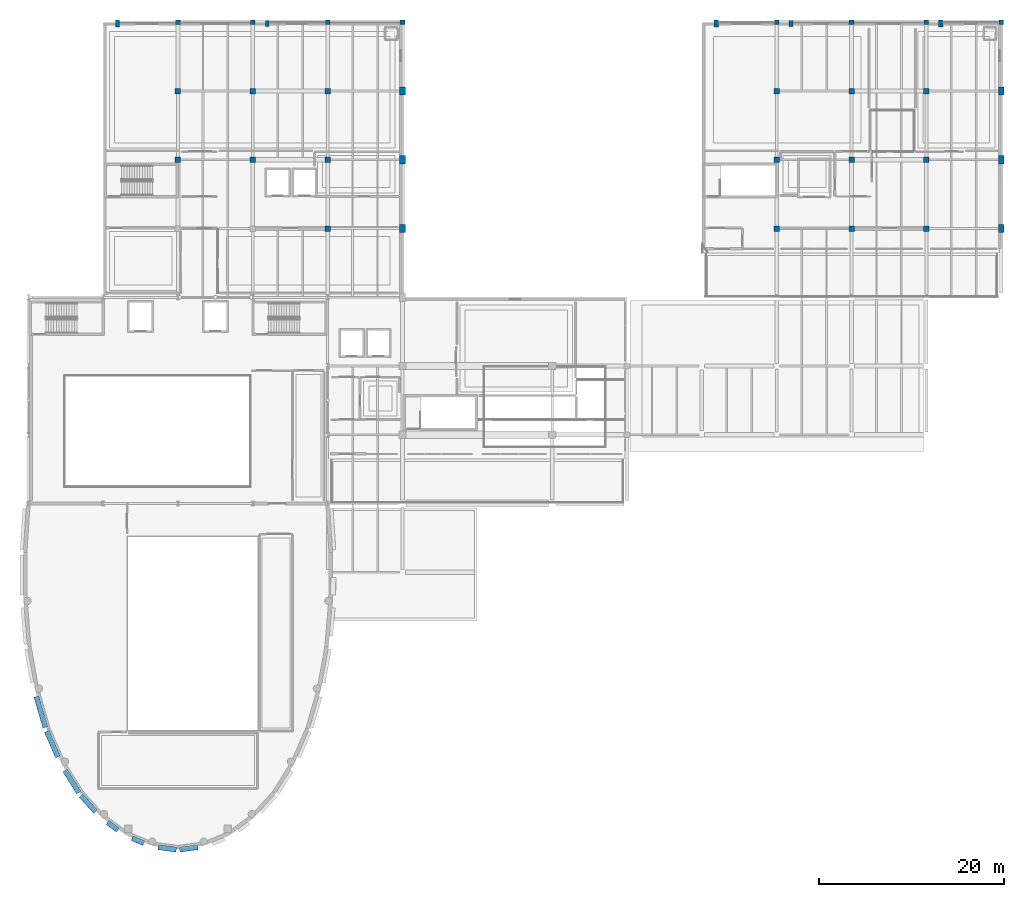
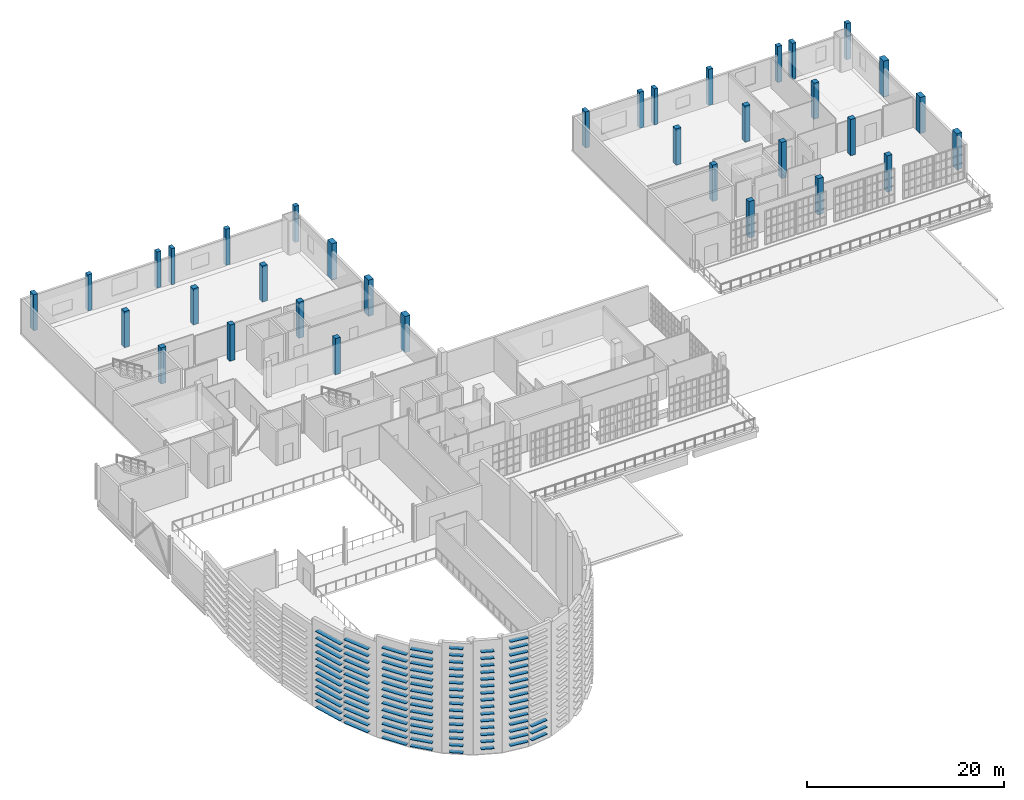
# One storey, part 4 of 56: 104 members, 35 columns.
"""IFC4 building model written with IfcOpenShell, lengths in metres."""

from ifc_helpers import new_model, si_unit, direction, frame, origin, origin_2d, place, context, subcontext, project, spatial, rectangle, hollow_rectangle, extrude, material, material_profile, profile_set, type_object, element, save


model = new_model("IFC4")

# Units and contexts
model_context = context("Model", 3, precision=1e-05, world=origin(), true_north=direction((0.0, 1.0)))
body_context = subcontext(model_context, "Body", "Model", "MODEL_VIEW")
ifc_project = project(units=[si_unit("LENGTHUNIT", "METRE"), si_unit("AREAUNIT", "SQUARE_METRE"), si_unit("VOLUMEUNIT", "CUBIC_METRE"), si_unit("PLANEANGLEUNIT", "RADIAN"), si_unit("MASSUNIT", "GRAM", prefix="KILO")], contexts=[model_context])

# Site, building, storey
site_placement = place(None, origin())
site = spatial("IfcSite", under=ifc_project, at=site_placement, CompositionType="ELEMENT")
building_placement = place(site_placement, origin())
building = spatial("IfcBuilding", under=site, at=building_placement, Name="Kaelora Sail Theatre", CompositionType="ELEMENT")
storey_placement = place(building_placement, frame((0.0, 0.0, 14.699951171875)))
storey = spatial("IfcBuildingStorey", under=building, at=storey_placement, Name="L03", CompositionType="ELEMENT", Elevation=14.699951171875)

# Columns
ifc_material_1 = material(Name="Concrete C40/50", Category="concrete")
ifc_material_profile_1 = material_profile(ifc_material_1, rectangle(XDim=0.5, YDim=0.5, at=origin_2d()), Name="RC-COL 500x500")
ifc_profile_set_1 = profile_set([ifc_material_profile_1], Name="Concrete C40/50")
column_type_1 = type_object("IfcColumnType", Name="STR-COL-C-RC500", PredefinedType="COLUMN", material=ifc_profile_set_1)
for number, where, z_axis, x_axis, name in (
    (1, (42.0, 113.10009765625, 0.0), (0.0, 0.0, 1.0), (1.0, 0.0, 0.0), "Column 6/P (L03)"),
    (2, (50.10009765625, 113.10009765625, 0.0), (0.0, 0.0, 1.0), (1.0, 0.0, 0.0), "Column 7/P (L03)"),
    (3, (58.199951171875, 113.10009765625, 0.0), (0.0, 0.0, 1.0), (1.0, 0.0, 0.0), "Column 8/P (L03)"),
    (4, (66.300048828125, 113.10009765625, 0.0), (0.0, 0.0, 1.0), (1.0, 0.0, 0.0), "Column 9/P (L03)"),
    (5, (106.800048828125, 113.10009765625, 0.0), (0.0, 0.0, 1.0), (1.0, 0.0, 0.0), "Column 14/P (L03)"),
    (6, (114.89990234375, 113.10009765625, 0.0), (0.0, 0.0, 1.0), (1.0, 0.0, 0.0), "Column 15/P (L03)"),
    (7, (123.0, 113.10009765625, 0.0), (0.0, 0.0, 1.0), (1.0, 0.0, 0.0), "Column 16/P (L03)"),
    (8, (131.10009765625, 113.10009765625, 0.0), (0.0, 0.0, 1.0), (1.0, 0.0, 0.0), "Column 17/P (L03)"),
):
    element("IfcColumn", number, at=place(storey_placement, frame(where, z_axis=z_axis, x_axis=x_axis)), inside=storey, type_object=column_type_1, Name=name, PredefinedType="COLUMN", context=body_context, shape_type="SweptSolid", body=[
        extrude(rectangle(XDim=0.5, YDim=0.5, at=origin_2d()), origin(), (0.0, 0.0, 1.0), 4.5),
    ])
ifc_material_2 = material(Name="Concrete C40/50", Category="concrete")
ifc_material_profile_2 = material_profile(ifc_material_2, rectangle(XDim=0.60009765625, YDim=0.60009765625, at=origin_2d()), Name="RC-COL 600x600")
ifc_profile_set_2 = profile_set([ifc_material_profile_2], Name="Concrete C40/50")
column_type_2 = type_object("IfcColumnType", Name="STR-COL-C-RC600", PredefinedType="COLUMN", material=ifc_profile_set_2)
for number, where, z_axis, x_axis, name in (
    (9, (42.0, 98.219970703125, 0.0), (0.0, 0.0, 1.0), (1.0, 0.0, 0.0), "Column 6/N (L03)"),
    (10, (42.0, 105.659912109375, 0.0), (0.0, 0.0, 1.0), (1.0, 0.0, 0.0), "Column 6/O (L03)"),
    (11, (50.10009765625, 98.219970703125, 0.0), (0.0, 0.0, 1.0), (1.0, 0.0, 0.0), "Column 7/N (L03)"),
    (12, (50.10009765625, 105.659912109375, 0.0), (0.0, 0.0, 1.0), (1.0, 0.0, 0.0), "Column 7/O (L03)"),
    (13, (58.199951171875, 90.780029296875, 0.0), (0.0, 0.0, 1.0), (1.0, 0.0, 0.0), "Column 8/M (L03)"),
    (14, (58.199951171875, 98.219970703125, 0.0), (0.0, 0.0, 1.0), (1.0, 0.0, 0.0), "Column 8/N (L03)"),
    (15, (58.199951171875, 105.659912109375, 0.0), (0.0, 0.0, 1.0), (1.0, 0.0, 0.0), "Column 8/O (L03)"),
    (16, (106.800048828125, 90.780029296875, 0.0), (0.0, 0.0, 1.0), (1.0, 0.0, 0.0), "Column 14/M (L03)"),
    (17, (106.800048828125, 98.219970703125, 0.0), (0.0, 0.0, 1.0), (1.0, 0.0, 0.0), "Column 14/N (L03)"),
    (18, (106.800048828125, 105.659912109375, 0.0), (0.0, 0.0, 1.0), (1.0, 0.0, 0.0), "Column 14/O (L03)"),
    (19, (114.89990234375, 90.780029296875, 0.0), (0.0, 0.0, 1.0), (1.0, 0.0, 0.0), "Column 15/M (L03)"),
    (20, (114.89990234375, 98.219970703125, 0.0), (0.0, 0.0, 1.0), (1.0, 0.0, 0.0), "Column 15/N (L03)"),
    (21, (114.89990234375, 105.659912109375, 0.0), (0.0, 0.0, 1.0), (1.0, 0.0, 0.0), "Column 15/O (L03)"),
    (22, (123.0, 90.780029296875, 0.0), (0.0, 0.0, 1.0), (1.0, 0.0, 0.0), "Column 16/M (L03)"),
    (23, (123.0, 98.219970703125, 0.0), (0.0, 0.0, 1.0), (1.0, 0.0, 0.0), "Column 16/N (L03)"),
    (24, (123.0, 105.659912109375, 0.0), (0.0, 0.0, 1.0), (1.0, 0.0, 0.0), "Column 16/O (L03)"),
):
    element("IfcColumn", number, at=place(storey_placement, frame(where, z_axis=z_axis, x_axis=x_axis)), inside=storey, type_object=column_type_2, Name=name, PredefinedType="COLUMN", context=body_context, shape_type="SweptSolid", body=[
        extrude(rectangle(XDim=0.60009765625, YDim=0.60009765625, at=origin_2d()), origin(), (0.0, 0.0, 1.0), 4.5),
    ])
ifc_material_3 = material(Name="Concrete C45/55", Category="concrete")
ifc_material_profile_3 = material_profile(ifc_material_3, rectangle(XDim=0.60009765625, YDim=0.89990234375, at=origin_2d()), Name="RC-COL 600x900")
ifc_profile_set_3 = profile_set([ifc_material_profile_3], Name="Concrete C45/55")
column_type_3 = type_object("IfcColumnType", Name="STR-COL-C-RC6090", PredefinedType="COLUMN", material=ifc_profile_set_3)
for number, where, z_axis, x_axis, name in (
    (25, (66.300048828125, 90.780029296875, 0.0), (0.0, 0.0, 1.0), (1.0, 0.0, 0.0), "Column 9/M (L03)"),
    (26, (66.300048828125, 98.219970703125, 0.0), (0.0, 0.0, 1.0), (1.0, 0.0, 0.0), "Column 9/N (L03)"),
    (27, (66.300048828125, 105.659912109375, 0.0), (0.0, 0.0, 1.0), (1.0, 0.0, 0.0), "Column 9/O (L03)"),
    (28, (131.10009765625, 90.780029296875, 0.0), (0.0, 0.0, 1.0), (1.0, 0.0, 0.0), "Column 17/M (L03)"),
    (29, (131.10009765625, 98.219970703125, 0.0), (0.0, 0.0, 1.0), (1.0, 0.0, 0.0), "Column 17/N (L03)"),
    (30, (131.10009765625, 105.659912109375, 0.0), (0.0, 0.0, 1.0), (1.0, 0.0, 0.0), "Column 17/O (L03)"),
):
    element("IfcColumn", number, at=place(storey_placement, frame(where, z_axis=z_axis, x_axis=x_axis)), inside=storey, type_object=column_type_3, Name=name, PredefinedType="COLUMN", context=body_context, shape_type="SweptSolid", body=[
        extrude(rectangle(XDim=0.60009765625, YDim=0.89990234375, at=origin_2d()), origin(), (0.0, 0.0, 1.0), 4.5),
    ])
ifc_material_4 = material(Name="Precast concrete C45/55", Category="concrete")
ifc_material_profile_4 = material_profile(ifc_material_4, rectangle(XDim=0.39990234375, YDim=0.64990234375, at=origin_2d()), Name="RC-PIL 400x650")
ifc_profile_set_4 = profile_set([ifc_material_profile_4], Name="Precast concrete C45/55")
column_type_4 = type_object("IfcColumnType", Name="STR-COL-PL-RC4065", PredefinedType="PILASTER", material=ifc_profile_set_4)
for number, where, z_axis, x_axis, name in (
    (31, (51.64990234375, 112.949951171875, 0.0), (0.0, 0.0, 1.0), (1.0, 0.0, 0.0), "Postmodern terracotta precast pilaster L03 N04"),
    (32, (108.35009765625, 112.949951171875, 0.0), (0.0, 0.0, 1.0), (1.0, 0.0, 0.0), "Postmodern terracotta precast pilaster L03 N08"),
):
    element("IfcColumn", number, at=place(storey_placement, frame(where, z_axis=z_axis, x_axis=x_axis)), inside=storey, type_object=column_type_4, Name=name, PredefinedType="PILASTER", context=body_context, shape_type="SweptSolid", body=[
        extrude(rectangle(XDim=0.39990234375, YDim=0.64990234375, at=origin_2d()), origin(), (0.0, 0.0, 1.0), 4.5),
    ])
ifc_material_5 = material(Name="Precast concrete C45/55", Category="concrete")
ifc_material_profile_5 = material_profile(ifc_material_5, rectangle(XDim=0.449951171875, YDim=0.75, at=origin_2d()), Name="RC-PIL 450x750")
ifc_profile_set_5 = profile_set([ifc_material_profile_5], Name="Precast concrete C45/55")
column_type_5 = type_object("IfcColumnType", Name="STR-COL-PL-RC4575", PredefinedType="PILASTER", material=ifc_profile_set_5)
for number, where, z_axis, x_axis, name in (
    (33, (35.449951171875, 112.949951171875, 0.0), (0.0, 0.0, 1.0), (1.0, 0.0, 0.0), "Postmodern terracotta precast pilaster L03 N03"),
    (34, (100.25, 112.949951171875, 0.0), (0.0, 0.0, 1.0), (1.0, 0.0, 0.0), "Postmodern terracotta precast pilaster L03 N07"),
    (35, (124.550048828125, 112.949951171875, 0.0), (0.0, 0.0, 1.0), (1.0, 0.0, 0.0), "Postmodern terracotta precast pilaster L03 N09"),
):
    element("IfcColumn", number, at=place(storey_placement, frame(where, z_axis=z_axis, x_axis=x_axis)), inside=storey, type_object=column_type_5, Name=name, PredefinedType="PILASTER", context=body_context, shape_type="SweptSolid", body=[
        extrude(rectangle(XDim=0.449951171875, YDim=0.75, at=origin_2d()), origin(), (0.0, 0.0, 1.0), 4.5),
    ])

# Members
ifc_material_6 = material(Name="Anodised aluminium 6063-T6", Category="aluminium")
ifc_material_profile_6 = material_profile(ifc_material_6, hollow_rectangle(XDim=0.550048828125, YDim=0.06494140625, WallThickness=0.00390625, InnerFilletRadius=0.00390625, OuterFilletRadius=0.008056640625, at=origin_2d()), Name="LOUVRE 550x65x4")
ifc_profile_set_6 = profile_set([ifc_material_profile_6], Name="Anodised aluminium 6063-T6")
member_type = type_object("IfcMemberType", Name="ARC-MEM-LVR-300", PredefinedType="USERDEFINED", material=ifc_profile_set_6)
for number, where, z_axis, x_axis, name in (
    (36, (44.1484375, 23.82666015625, 0.7900390625), (-0.991052229698, -0.133474634331, 0.0), (0.133474634331, -0.991052229698, 0.0), "Main Theatre Sail Drum horizontal solar louvre C11-15"),
    (37, (44.1484375, 23.82666015625, 1.650146484375), (-0.991052229698, -0.133474634331, 0.0), (0.133474634331, -0.991052229698, 0.0), "Main Theatre Sail Drum horizontal solar louvre C11-16"),
    (38, (44.1484375, 23.82666015625, 2.510009765625), (-0.991052229698, -0.133474634331, 0.0), (0.133474634331, -0.991052229698, 0.0), "Main Theatre Sail Drum horizontal solar louvre C11-17"),
    (39, (41.822021484375, 23.561279296875, 0.7900390625), (-0.991052229698, 0.133474634331, 0.0), (-0.133474634331, -0.991052229698, 0.0), "Main Theatre Sail Drum horizontal solar louvre C12-15"),
    (40, (41.822021484375, 23.561279296875, 1.650146484375), (-0.991052229698, 0.133474634331, 0.0), (-0.133474634331, -0.991052229698, 0.0), "Main Theatre Sail Drum horizontal solar louvre C12-16"),
    (41, (41.822021484375, 23.561279296875, 2.510009765625), (-0.991052229698, 0.133474634331, 0.0), (-0.133474634331, -0.991052229698, 0.0), "Main Theatre Sail Drum horizontal solar louvre C12-17"),
    (42, (41.822021484375, 23.561279296875, 3.3701171875), (-0.991052229698, 0.133474634331, 0.0), (-0.133474634331, -0.991052229698, 0.0), "Main Theatre Sail Drum horizontal solar louvre C12-18"),
    (43, (41.822021484375, 23.561279296875, 4.22998046875), (-0.991052229698, 0.133474634331, 0.0), (-0.133474634331, -0.991052229698, 0.0), "Main Theatre Sail Drum horizontal solar louvre C12-19"),
    (44, (41.822021484375, 23.561279296875, 5.090087890625), (-0.991052229698, 0.133474634331, 0.0), (-0.133474634331, -0.991052229698, 0.0), "Main Theatre Sail Drum horizontal solar louvre C12-20"),
    (45, (41.822021484375, 23.561279296875, 5.949951171875), (-0.991052229698, 0.133474634331, 0.0), (-0.133474634331, -0.991052229698, 0.0), "Main Theatre Sail Drum horizontal solar louvre C12-21"),
    (46, (41.822021484375, 23.561279296875, 6.81005859375), (-0.991052229698, 0.133474634331, 0.0), (-0.133474634331, -0.991052229698, 0.0), "Main Theatre Sail Drum horizontal solar louvre C12-22"),
    (47, (41.822021484375, 23.561279296875, 7.670166015625), (-0.991052229698, 0.133474634331, 0.0), (-0.133474634331, -0.991052229698, 0.0), "Main Theatre Sail Drum horizontal solar louvre C12-23"),
    (48, (41.822021484375, 23.561279296875, 8.530029296875), (-0.991052229698, 0.133474634331, 0.0), (-0.133474634331, -0.991052229698, 0.0), "Main Theatre Sail Drum horizontal solar louvre C12-24"),
    (49, (41.822021484375, 23.561279296875, 9.39013671875), (-0.991052229698, 0.133474634331, 0.0), (-0.133474634331, -0.991052229698, 0.0), "Main Theatre Sail Drum horizontal solar louvre C12-25"),
    (50, (41.822021484375, 23.561279296875, 10.25), (-0.991052229698, 0.133474634331, 0.0), (-0.133474634331, -0.991052229698, 0.0), "Main Theatre Sail Drum horizontal solar louvre C12-26"),
    (51, (41.822021484375, 23.561279296875, 11.110107421875), (-0.991052229698, 0.133474634331, 0.0), (-0.133474634331, -0.991052229698, 0.0), "Main Theatre Sail Drum horizontal solar louvre C12-27"),
    (52, (41.822021484375, 23.561279296875, 11.969970703125), (-0.991052229698, 0.133474634331, 0.0), (-0.133474634331, -0.991052229698, 0.0), "Main Theatre Sail Drum horizontal solar louvre C12-28"),
    (53, (41.822021484375, 23.561279296875, 12.830078125), (-0.991052229698, 0.133474634331, 0.0), (-0.133474634331, -0.991052229698, 0.0), "Main Theatre Sail Drum horizontal solar louvre C12-29"),
    (54, (41.822021484375, 23.561279296875, 13.68994140625), (-0.991052229698, 0.133474634331, 0.0), (-0.133474634331, -0.991052229698, 0.0), "Main Theatre Sail Drum horizontal solar louvre C12-30"),
):
    element("IfcMember", number, at=place(storey_placement, frame(where, z_axis=z_axis, x_axis=x_axis)), inside=storey, type_object=member_type, Name=name, ObjectType="LOUVRE", PredefinedType="USERDEFINED", context=body_context, shape_type="SweptSolid", body=[
        extrude(hollow_rectangle(XDim=0.550048828125, YDim=0.06494140625, WallThickness=0.00390625, InnerFilletRadius=0.00390625, OuterFilletRadius=0.008056640625, at=origin_2d()), origin(), (0.0, 0.0, 1.0), 1.98828125),
    ])
for number, where, z_axis, x_axis, name in (
    (55, (38.298583984375, 24.263671875, 0.7900390625), (-0.923925927829, 0.382571404949, 0.0), (-0.382571404949, -0.923925927829, 0.0), "Main Theatre Sail Drum horizontal solar louvre C13-15"),
    (56, (38.298583984375, 24.263671875, 1.650146484375), (-0.923925927829, 0.382571404949, 0.0), (-0.382571404949, -0.923925927829, 0.0), "Main Theatre Sail Drum horizontal solar louvre C13-16"),
    (57, (38.298583984375, 24.263671875, 2.510009765625), (-0.923925927829, 0.382571404949, 0.0), (-0.382571404949, -0.923925927829, 0.0), "Main Theatre Sail Drum horizontal solar louvre C13-17"),
    (58, (38.298583984375, 24.263671875, 3.3701171875), (-0.923925927829, 0.382571404949, 0.0), (-0.382571404949, -0.923925927829, 0.0), "Main Theatre Sail Drum horizontal solar louvre C13-18"),
    (59, (38.298583984375, 24.263671875, 4.22998046875), (-0.923925927829, 0.382571404949, 0.0), (-0.382571404949, -0.923925927829, 0.0), "Main Theatre Sail Drum horizontal solar louvre C13-19"),
    (60, (38.298583984375, 24.263671875, 5.090087890625), (-0.923925927829, 0.382571404949, 0.0), (-0.382571404949, -0.923925927829, 0.0), "Main Theatre Sail Drum horizontal solar louvre C13-20"),
    (61, (38.298583984375, 24.263671875, 5.949951171875), (-0.923925927829, 0.382571404949, 0.0), (-0.382571404949, -0.923925927829, 0.0), "Main Theatre Sail Drum horizontal solar louvre C13-21"),
    (62, (38.298583984375, 24.263671875, 6.81005859375), (-0.923925927829, 0.382571404949, 0.0), (-0.382571404949, -0.923925927829, 0.0), "Main Theatre Sail Drum horizontal solar louvre C13-22"),
    (63, (38.298583984375, 24.263671875, 7.670166015625), (-0.923925927829, 0.382571404949, 0.0), (-0.382571404949, -0.923925927829, 0.0), "Main Theatre Sail Drum horizontal solar louvre C13-23"),
    (64, (38.298583984375, 24.263671875, 8.530029296875), (-0.923925927829, 0.382571404949, 0.0), (-0.382571404949, -0.923925927829, 0.0), "Main Theatre Sail Drum horizontal solar louvre C13-24"),
    (65, (38.298583984375, 24.263671875, 9.39013671875), (-0.923925927829, 0.382571404949, 0.0), (-0.382571404949, -0.923925927829, 0.0), "Main Theatre Sail Drum horizontal solar louvre C13-25"),
    (66, (38.298583984375, 24.263671875, 10.25), (-0.923925927829, 0.382571404949, 0.0), (-0.382571404949, -0.923925927829, 0.0), "Main Theatre Sail Drum horizontal solar louvre C13-26"),
    (67, (38.298583984375, 24.263671875, 11.110107421875), (-0.923925927829, 0.382571404949, 0.0), (-0.382571404949, -0.923925927829, 0.0), "Main Theatre Sail Drum horizontal solar louvre C13-27"),
    (68, (38.298583984375, 24.263671875, 11.969970703125), (-0.923925927829, 0.382571404949, 0.0), (-0.382571404949, -0.923925927829, 0.0), "Main Theatre Sail Drum horizontal solar louvre C13-28"),
    (69, (38.298583984375, 24.263671875, 12.830078125), (-0.923925927829, 0.382571404949, 0.0), (-0.382571404949, -0.923925927829, 0.0), "Main Theatre Sail Drum horizontal solar louvre C13-29"),
):
    element("IfcMember", number, at=place(storey_placement, frame(where, z_axis=z_axis, x_axis=x_axis)), inside=storey, type_object=member_type, Name=name, ObjectType="LOUVRE", PredefinedType="USERDEFINED", context=body_context, shape_type="SweptSolid", body=[
        extrude(hollow_rectangle(XDim=0.550048828125, YDim=0.06494140625, WallThickness=0.00390625, InnerFilletRadius=0.00390625, OuterFilletRadius=0.008056640625, at=origin_2d()), origin(), (0.0, 0.0, 1.0), 1.37451171875),
    ])
for number, where, z_axis, x_axis, name in (
    (70, (35.500732421875, 25.6796875, 0.31005859375), (-0.808991251883, 0.587820682162, 0.0), (-0.587820682162, -0.808991251883, 0.0), "Main Theatre Sail Drum horizontal solar louvre C14-17"),
    (71, (35.500732421875, 25.6796875, 1.170166015625), (-0.808991251883, 0.587820682162, 0.0), (-0.587820682162, -0.808991251883, 0.0), "Main Theatre Sail Drum horizontal solar louvre C14-18"),
    (72, (35.500732421875, 25.6796875, 2.030029296875), (-0.808991251883, 0.587820682162, 0.0), (-0.587820682162, -0.808991251883, 0.0), "Main Theatre Sail Drum horizontal solar louvre C14-19"),
    (73, (35.500732421875, 25.6796875, 2.89013671875), (-0.808991251883, 0.587820682162, 0.0), (-0.587820682162, -0.808991251883, 0.0), "Main Theatre Sail Drum horizontal solar louvre C14-20"),
    (74, (35.500732421875, 25.6796875, 3.75), (-0.808991251883, 0.587820682162, 0.0), (-0.587820682162, -0.808991251883, 0.0), "Main Theatre Sail Drum horizontal solar louvre C14-21"),
    (75, (35.500732421875, 25.6796875, 4.610107421875), (-0.808991251883, 0.587820682162, 0.0), (-0.587820682162, -0.808991251883, 0.0), "Main Theatre Sail Drum horizontal solar louvre C14-22"),
    (76, (35.500732421875, 25.6796875, 5.469970703125), (-0.808991251883, 0.587820682162, 0.0), (-0.587820682162, -0.808991251883, 0.0), "Main Theatre Sail Drum horizontal solar louvre C14-23"),
    (77, (35.500732421875, 25.6796875, 6.330078125), (-0.808991251883, 0.587820682162, 0.0), (-0.587820682162, -0.808991251883, 0.0), "Main Theatre Sail Drum horizontal solar louvre C14-24"),
    (78, (35.500732421875, 25.6796875, 7.18994140625), (-0.808991251883, 0.587820682162, 0.0), (-0.587820682162, -0.808991251883, 0.0), "Main Theatre Sail Drum horizontal solar louvre C14-25"),
    (79, (35.500732421875, 25.6796875, 8.050048828125), (-0.808991251883, 0.587820682162, 0.0), (-0.587820682162, -0.808991251883, 0.0), "Main Theatre Sail Drum horizontal solar louvre C14-26"),
    (80, (35.500732421875, 25.6796875, 8.91015625), (-0.808991251883, 0.587820682162, 0.0), (-0.587820682162, -0.808991251883, 0.0), "Main Theatre Sail Drum horizontal solar louvre C14-27"),
    (81, (35.500732421875, 25.6796875, 9.77001953125), (-0.808991251883, 0.587820682162, 0.0), (-0.587820682162, -0.808991251883, 0.0), "Main Theatre Sail Drum horizontal solar louvre C14-28"),
    (82, (35.500732421875, 25.6796875, 10.630126953125), (-0.808991251883, 0.587820682162, 0.0), (-0.587820682162, -0.808991251883, 0.0), "Main Theatre Sail Drum horizontal solar louvre C14-29"),
    (83, (35.500732421875, 25.6796875, 11.489990234375), (-0.808991251883, 0.587820682162, 0.0), (-0.587820682162, -0.808991251883, 0.0), "Main Theatre Sail Drum horizontal solar louvre C14-30"),
    (84, (35.500732421875, 25.6796875, 12.35009765625), (-0.808991251883, 0.587820682162, 0.0), (-0.587820682162, -0.808991251883, 0.0), "Main Theatre Sail Drum horizontal solar louvre C14-31"),
    (85, (35.500732421875, 25.6796875, 13.2099609375), (-0.808991251883, 0.587820682162, 0.0), (-0.587820682162, -0.808991251883, 0.0), "Main Theatre Sail Drum horizontal solar louvre C14-32"),
):
    element("IfcMember", number, at=place(storey_placement, frame(where, z_axis=z_axis, x_axis=x_axis)), inside=storey, type_object=member_type, Name=name, ObjectType="LOUVRE", PredefinedType="USERDEFINED", context=body_context, shape_type="SweptSolid", body=[
        extrude(hollow_rectangle(XDim=0.550048828125, YDim=0.06494140625, WallThickness=0.00390625, InnerFilletRadius=0.00390625, OuterFilletRadius=0.008056640625, at=origin_2d()), origin(), (0.0, 0.0, 1.0), 1.40625),
    ])
for number, where, z_axis, x_axis, name in (
    (86, (33.080078125, 27.680419921875, 0.31005859375), (-0.671589400994, 0.740923529437, 0.0), (-0.740923529437, -0.671589400994, 0.0), "Main Theatre Sail Drum horizontal solar louvre C15-17"),
    (87, (33.080078125, 27.680419921875, 1.170166015625), (-0.671589400994, 0.740923529437, 0.0), (-0.740923529437, -0.671589400994, 0.0), "Main Theatre Sail Drum horizontal solar louvre C15-18"),
    (88, (33.080078125, 27.680419921875, 2.030029296875), (-0.671589400994, 0.740923529437, 0.0), (-0.740923529437, -0.671589400994, 0.0), "Main Theatre Sail Drum horizontal solar louvre C15-19"),
    (89, (33.080078125, 27.680419921875, 2.89013671875), (-0.671589400994, 0.740923529437, 0.0), (-0.740923529437, -0.671589400994, 0.0), "Main Theatre Sail Drum horizontal solar louvre C15-20"),
    (90, (33.080078125, 27.680419921875, 3.75), (-0.671589400994, 0.740923529437, 0.0), (-0.740923529437, -0.671589400994, 0.0), "Main Theatre Sail Drum horizontal solar louvre C15-21"),
    (91, (33.080078125, 27.680419921875, 4.610107421875), (-0.671589400994, 0.740923529437, 0.0), (-0.740923529437, -0.671589400994, 0.0), "Main Theatre Sail Drum horizontal solar louvre C15-22"),
    (92, (33.080078125, 27.680419921875, 5.469970703125), (-0.671589400994, 0.740923529437, 0.0), (-0.740923529437, -0.671589400994, 0.0), "Main Theatre Sail Drum horizontal solar louvre C15-23"),
    (93, (33.080078125, 27.680419921875, 6.330078125), (-0.671589400994, 0.740923529437, 0.0), (-0.740923529437, -0.671589400994, 0.0), "Main Theatre Sail Drum horizontal solar louvre C15-24"),
    (94, (33.080078125, 27.680419921875, 7.18994140625), (-0.671589400994, 0.740923529437, 0.0), (-0.740923529437, -0.671589400994, 0.0), "Main Theatre Sail Drum horizontal solar louvre C15-25"),
    (95, (33.080078125, 27.680419921875, 8.050048828125), (-0.671589400994, 0.740923529437, 0.0), (-0.740923529437, -0.671589400994, 0.0), "Main Theatre Sail Drum horizontal solar louvre C15-26"),
    (96, (33.080078125, 27.680419921875, 8.91015625), (-0.671589400994, 0.740923529437, 0.0), (-0.740923529437, -0.671589400994, 0.0), "Main Theatre Sail Drum horizontal solar louvre C15-27"),
    (97, (33.080078125, 27.680419921875, 9.77001953125), (-0.671589400994, 0.740923529437, 0.0), (-0.740923529437, -0.671589400994, 0.0), "Main Theatre Sail Drum horizontal solar louvre C15-28"),
    (98, (33.080078125, 27.680419921875, 10.630126953125), (-0.671589400994, 0.740923529437, 0.0), (-0.740923529437, -0.671589400994, 0.0), "Main Theatre Sail Drum horizontal solar louvre C15-29"),
    (99, (33.080078125, 27.680419921875, 11.489990234375), (-0.671589400994, 0.740923529437, 0.0), (-0.740923529437, -0.671589400994, 0.0), "Main Theatre Sail Drum horizontal solar louvre C15-30"),
    (100, (33.080078125, 27.680419921875, 12.35009765625), (-0.671589400994, 0.740923529437, 0.0), (-0.740923529437, -0.671589400994, 0.0), "Main Theatre Sail Drum horizontal solar louvre C15-31"),
):
    element("IfcMember", number, at=place(storey_placement, frame(where, z_axis=z_axis, x_axis=x_axis)), inside=storey, type_object=member_type, Name=name, ObjectType="LOUVRE", PredefinedType="USERDEFINED", context=body_context, shape_type="SweptSolid", body=[
        extrude(hollow_rectangle(XDim=0.550048828125, YDim=0.06494140625, WallThickness=0.00390625, InnerFilletRadius=0.00390625, OuterFilletRadius=0.008056640625, at=origin_2d()), origin(), (0.0, 0.0, 1.0), 2.33447265625),
    ])
for number, where, z_axis, x_axis, name in (
    (101, (31.267333984375, 29.735595703125, 0.31005859375), (-0.531266918629, 0.847204497846, 0.0), (-0.847204497846, -0.531266918629, 0.0), "Main Theatre Sail Drum horizontal solar louvre C16-17"),
    (102, (31.267333984375, 29.735595703125, 1.170166015625), (-0.531266918629, 0.847204497846, 0.0), (-0.847204497846, -0.531266918629, 0.0), "Main Theatre Sail Drum horizontal solar louvre C16-18"),
    (103, (31.267333984375, 29.735595703125, 2.030029296875), (-0.531266918629, 0.847204497846, 0.0), (-0.847204497846, -0.531266918629, 0.0), "Main Theatre Sail Drum horizontal solar louvre C16-19"),
    (104, (31.267333984375, 29.735595703125, 2.89013671875), (-0.531266918629, 0.847204497846, 0.0), (-0.847204497846, -0.531266918629, 0.0), "Main Theatre Sail Drum horizontal solar louvre C16-20"),
    (105, (31.267333984375, 29.735595703125, 3.75), (-0.531266918629, 0.847204497846, 0.0), (-0.847204497846, -0.531266918629, 0.0), "Main Theatre Sail Drum horizontal solar louvre C16-21"),
    (106, (31.267333984375, 29.735595703125, 4.610107421875), (-0.531266918629, 0.847204497846, 0.0), (-0.847204497846, -0.531266918629, 0.0), "Main Theatre Sail Drum horizontal solar louvre C16-22"),
    (107, (31.267333984375, 29.735595703125, 5.469970703125), (-0.531266918629, 0.847204497846, 0.0), (-0.847204497846, -0.531266918629, 0.0), "Main Theatre Sail Drum horizontal solar louvre C16-23"),
    (108, (31.267333984375, 29.735595703125, 6.330078125), (-0.531266918629, 0.847204497846, 0.0), (-0.847204497846, -0.531266918629, 0.0), "Main Theatre Sail Drum horizontal solar louvre C16-24"),
    (109, (31.267333984375, 29.735595703125, 7.18994140625), (-0.531266918629, 0.847204497846, 0.0), (-0.847204497846, -0.531266918629, 0.0), "Main Theatre Sail Drum horizontal solar louvre C16-25"),
    (110, (31.267333984375, 29.735595703125, 8.050048828125), (-0.531266918629, 0.847204497846, 0.0), (-0.847204497846, -0.531266918629, 0.0), "Main Theatre Sail Drum horizontal solar louvre C16-26"),
    (111, (31.267333984375, 29.735595703125, 8.91015625), (-0.531266918629, 0.847204497846, 0.0), (-0.847204497846, -0.531266918629, 0.0), "Main Theatre Sail Drum horizontal solar louvre C16-27"),
    (112, (31.267333984375, 29.735595703125, 9.77001953125), (-0.531266918629, 0.847204497846, 0.0), (-0.847204497846, -0.531266918629, 0.0), "Main Theatre Sail Drum horizontal solar louvre C16-28"),
    (113, (31.267333984375, 29.735595703125, 10.630126953125), (-0.531266918629, 0.847204497846, 0.0), (-0.847204497846, -0.531266918629, 0.0), "Main Theatre Sail Drum horizontal solar louvre C16-29"),
    (114, (31.267333984375, 29.735595703125, 11.489990234375), (-0.531266918629, 0.847204497846, 0.0), (-0.847204497846, -0.531266918629, 0.0), "Main Theatre Sail Drum horizontal solar louvre C16-30"),
):
    element("IfcMember", number, at=place(storey_placement, frame(where, z_axis=z_axis, x_axis=x_axis)), inside=storey, type_object=member_type, Name=name, ObjectType="LOUVRE", PredefinedType="USERDEFINED", context=body_context, shape_type="SweptSolid", body=[
        extrude(hollow_rectangle(XDim=0.550048828125, YDim=0.06494140625, WallThickness=0.00390625, InnerFilletRadius=0.00390625, OuterFilletRadius=0.008056640625, at=origin_2d()), origin(), (0.0, 0.0, 1.0), 2.81982421875),
    ])
for number, where, z_axis, x_axis, name in (
    (115, (28.999755859375, 33.605224609375, 0.31005859375), (-0.399228207285, 0.91685159023, 0.0), (-0.91685159023, -0.399228207285, 0.0), "Main Theatre Sail Drum horizontal solar louvre C17-17"),
    (116, (28.999755859375, 33.605224609375, 1.170166015625), (-0.399228207285, 0.91685159023, 0.0), (-0.91685159023, -0.399228207285, 0.0), "Main Theatre Sail Drum horizontal solar louvre C17-18"),
    (117, (28.999755859375, 33.605224609375, 2.030029296875), (-0.399228207285, 0.91685159023, 0.0), (-0.91685159023, -0.399228207285, 0.0), "Main Theatre Sail Drum horizontal solar louvre C17-19"),
    (118, (28.999755859375, 33.605224609375, 2.89013671875), (-0.399228207285, 0.91685159023, 0.0), (-0.91685159023, -0.399228207285, 0.0), "Main Theatre Sail Drum horizontal solar louvre C17-20"),
    (119, (28.999755859375, 33.605224609375, 3.75), (-0.399228207285, 0.91685159023, 0.0), (-0.91685159023, -0.399228207285, 0.0), "Main Theatre Sail Drum horizontal solar louvre C17-21"),
    (120, (28.999755859375, 33.605224609375, 4.610107421875), (-0.399228207285, 0.91685159023, 0.0), (-0.91685159023, -0.399228207285, 0.0), "Main Theatre Sail Drum horizontal solar louvre C17-22"),
    (121, (28.999755859375, 33.605224609375, 5.469970703125), (-0.399228207285, 0.91685159023, 0.0), (-0.91685159023, -0.399228207285, 0.0), "Main Theatre Sail Drum horizontal solar louvre C17-23"),
    (122, (28.999755859375, 33.605224609375, 6.330078125), (-0.399228207285, 0.91685159023, 0.0), (-0.91685159023, -0.399228207285, 0.0), "Main Theatre Sail Drum horizontal solar louvre C17-24"),
    (123, (28.999755859375, 33.605224609375, 7.18994140625), (-0.399228207285, 0.91685159023, 0.0), (-0.91685159023, -0.399228207285, 0.0), "Main Theatre Sail Drum horizontal solar louvre C17-25"),
    (124, (28.999755859375, 33.605224609375, 8.050048828125), (-0.399228207285, 0.91685159023, 0.0), (-0.91685159023, -0.399228207285, 0.0), "Main Theatre Sail Drum horizontal solar louvre C17-26"),
    (125, (28.999755859375, 33.605224609375, 8.91015625), (-0.399228207285, 0.91685159023, 0.0), (-0.91685159023, -0.399228207285, 0.0), "Main Theatre Sail Drum horizontal solar louvre C17-27"),
    (126, (28.999755859375, 33.605224609375, 9.77001953125), (-0.399228207285, 0.91685159023, 0.0), (-0.91685159023, -0.399228207285, 0.0), "Main Theatre Sail Drum horizontal solar louvre C17-28"),
    (127, (28.999755859375, 33.605224609375, 10.630126953125), (-0.399228207285, 0.91685159023, 0.0), (-0.91685159023, -0.399228207285, 0.0), "Main Theatre Sail Drum horizontal solar louvre C17-29"),
):
    element("IfcMember", number, at=place(storey_placement, frame(where, z_axis=z_axis, x_axis=x_axis)), inside=storey, type_object=member_type, Name=name, ObjectType="LOUVRE", PredefinedType="USERDEFINED", context=body_context, shape_type="SweptSolid", body=[
        extrude(hollow_rectangle(XDim=0.550048828125, YDim=0.06494140625, WallThickness=0.00390625, InnerFilletRadius=0.00390625, OuterFilletRadius=0.008056640625, at=origin_2d()), origin(), (0.0, 0.0, 1.0), 3.00439453125),
    ])
for number, where, z_axis, x_axis, name in (
    (128, (27.644287109375, 36.793212890625, 0.31005859375), (-0.280281368484, 0.959917889447, 0.0), (-0.959917889447, -0.280281368484, 0.0), "Main Theatre Sail Drum horizontal solar louvre C18-17"),
    (129, (27.644287109375, 36.793212890625, 1.170166015625), (-0.280281368484, 0.959917889447, 0.0), (-0.959917889447, -0.280281368484, 0.0), "Main Theatre Sail Drum horizontal solar louvre C18-18"),
    (130, (27.644287109375, 36.793212890625, 2.030029296875), (-0.280281368484, 0.959917889447, 0.0), (-0.959917889447, -0.280281368484, 0.0), "Main Theatre Sail Drum horizontal solar louvre C18-19"),
    (131, (27.644287109375, 36.793212890625, 2.89013671875), (-0.280281368484, 0.959917889447, 0.0), (-0.959917889447, -0.280281368484, 0.0), "Main Theatre Sail Drum horizontal solar louvre C18-20"),
    (132, (27.644287109375, 36.793212890625, 3.75), (-0.280281368484, 0.959917889447, 0.0), (-0.959917889447, -0.280281368484, 0.0), "Main Theatre Sail Drum horizontal solar louvre C18-21"),
    (133, (27.644287109375, 36.793212890625, 4.610107421875), (-0.280281368484, 0.959917889447, 0.0), (-0.959917889447, -0.280281368484, 0.0), "Main Theatre Sail Drum horizontal solar louvre C18-22"),
    (134, (27.644287109375, 36.793212890625, 5.469970703125), (-0.280281368484, 0.959917889447, 0.0), (-0.959917889447, -0.280281368484, 0.0), "Main Theatre Sail Drum horizontal solar louvre C18-23"),
    (135, (27.644287109375, 36.793212890625, 6.330078125), (-0.280281368484, 0.959917889447, 0.0), (-0.959917889447, -0.280281368484, 0.0), "Main Theatre Sail Drum horizontal solar louvre C18-24"),
    (136, (27.644287109375, 36.793212890625, 7.18994140625), (-0.280281368484, 0.959917889447, 0.0), (-0.959917889447, -0.280281368484, 0.0), "Main Theatre Sail Drum horizontal solar louvre C18-25"),
    (137, (27.644287109375, 36.793212890625, 8.050048828125), (-0.280281368484, 0.959917889447, 0.0), (-0.959917889447, -0.280281368484, 0.0), "Main Theatre Sail Drum horizontal solar louvre C18-26"),
    (138, (27.644287109375, 36.793212890625, 8.91015625), (-0.280281368484, 0.959917889447, 0.0), (-0.959917889447, -0.280281368484, 0.0), "Main Theatre Sail Drum horizontal solar louvre C18-27"),
    (139, (27.644287109375, 36.793212890625, 9.77001953125), (-0.280281368484, 0.959917889447, 0.0), (-0.959917889447, -0.280281368484, 0.0), "Main Theatre Sail Drum horizontal solar louvre C18-28"),
):
    element("IfcMember", number, at=place(storey_placement, frame(where, z_axis=z_axis, x_axis=x_axis)), inside=storey, type_object=member_type, Name=name, ObjectType="LOUVRE", PredefinedType="USERDEFINED", context=body_context, shape_type="SweptSolid", body=[
        extrude(hollow_rectangle(XDim=0.550048828125, YDim=0.06494140625, WallThickness=0.00390625, InnerFilletRadius=0.00390625, OuterFilletRadius=0.008056640625, at=origin_2d()), origin(), (0.0, 0.0, 1.0), 3.465087890625),
    ])

save(model, "model.ifc")
